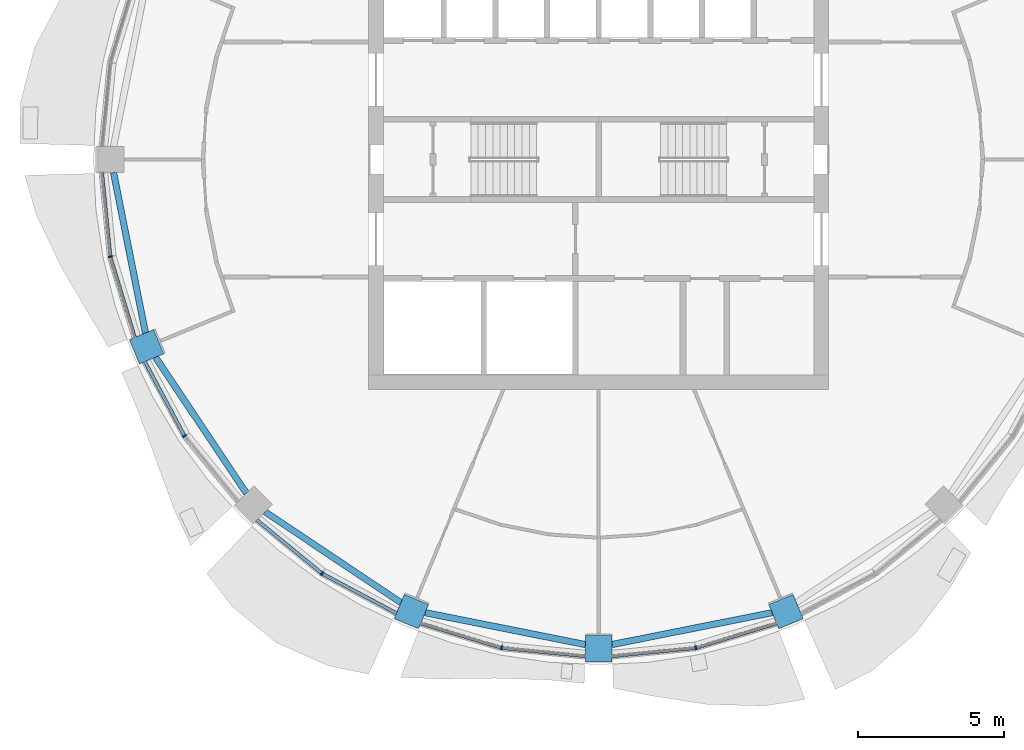
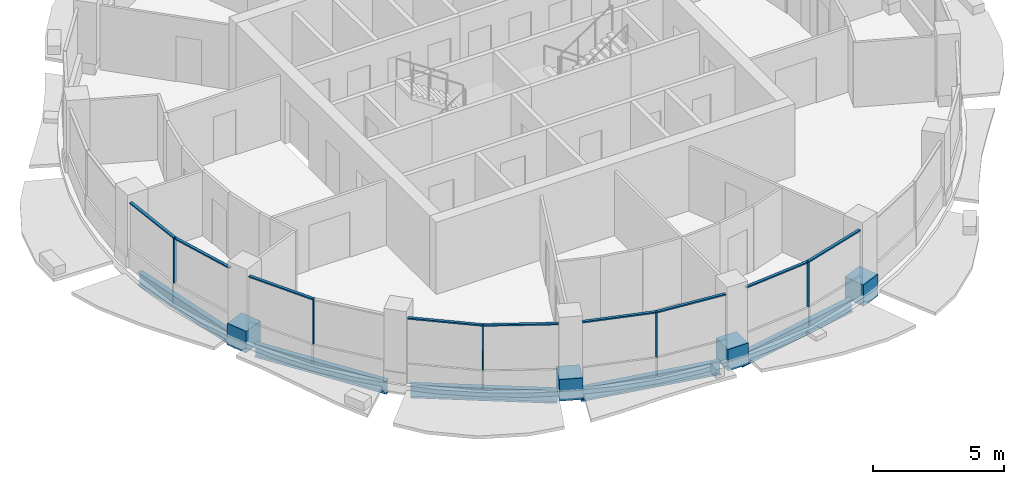
# One storey, part 2 of 15: 18 members, 5 beams, 5 elements without a shape of their own.
"""IFC4 building model written with IfcOpenShell, lengths in metres."""

from ifc_helpers import new_model, si_unit, direction, frame, origin, origin_2d, place, context, subcontext, project, spatial, rectangle, i_section, extrude, material, material_profile, profile_set, type_object, element, aggregate, save


model = new_model("IFC4")

# Units and contexts
model_context = context("Model", 3, precision=1e-05, world=origin(), true_north=direction((0.0, 1.0)))
body_context = subcontext(model_context, "Body", "Model", "MODEL_VIEW")
ifc_project = project(units=[si_unit("LENGTHUNIT", "METRE"), si_unit("AREAUNIT", "SQUARE_METRE"), si_unit("VOLUMEUNIT", "CUBIC_METRE"), si_unit("PLANEANGLEUNIT", "RADIAN"), si_unit("MASSUNIT", "GRAM", prefix="KILO")], contexts=[model_context])

# Site, building, storey
site_placement = place(None, origin())
site = spatial("IfcSite", under=ifc_project, at=site_placement, CompositionType="ELEMENT")
building_placement = place(site_placement, origin())
building = spatial("IfcBuilding", under=site, at=building_placement, Name="Polderwave Tower", CompositionType="ELEMENT")
storey_placement = place(building_placement, frame((0.0, 0.0, 197.699951171875)))
storey = spatial("IfcBuildingStorey", under=building, at=storey_placement, Name="L53", CompositionType="ELEMENT", Elevation=197.699951171875)

# Curtain wall, member
ifc_material_1 = material(Name="Aluminium 6063-T6 and glass", Category="aluminium")
curtain_wall_type = type_object("IfcCurtainWallType", Name="Office ribbon glazing wall", PredefinedType="NOTDEFINED", material=ifc_material_1)
curtain_wall_1_placement = place(storey_placement, origin())
curtain_wall_1 = element("IfcCurtainWall", 1, at=curtain_wall_1_placement, inside=storey, type_object=curtain_wall_type, Name="CW3 L53 08", PredefinedType="NOTDEFINED")
ifc_material_2 = material(Name="Aluminium 6063-T6", Category="aluminium")
ifc_material_profile_1 = material_profile(ifc_material_2, rectangle(XDim=0.139892578125, YDim=0.054931640625, at=origin_2d()), Name="AL 55x140")
ifc_profile_set_1 = profile_set([ifc_material_profile_1], Name="Aluminium 6063-T6")
member_type_1 = type_object("IfcMemberType", Name="Office ribbon glazing mullion 55x140", PredefinedType="MULLION", material=ifc_profile_set_1)
member_1_placement = place(storey_placement, frame((-16.721923828125, -3.325927734375, 0.900146484375), z_axis=(0.0, 0.0, 1.0), x_axis=(0.980762460409, 0.195205010829, 0.0)))
member_1 = element("IfcMember", 2, at=member_1_placement, type_object=member_type_1, Name="CW3 mullion 1", PredefinedType="MULLION", context=body_context, shape_type="SweptSolid", body=[
    extrude(rectangle(XDim=0.139892578125, YDim=0.054931640625, at=origin_2d()), origin(), (0.0, 0.0, 1.0), 2.099853515625),
])

curtain_wall_2_placement = place(storey_placement, origin())
curtain_wall_2 = element("IfcCurtainWall", 3, at=curtain_wall_2_placement, inside=storey, type_object=curtain_wall_type, Name="CW3 L53 09", PredefinedType="NOTDEFINED")
member_2_placement = place(storey_placement, frame((-14.177001953125, -9.471923828125, 0.900146484375), z_axis=(0.0, 0.0, 1.0), x_axis=(0.831480278332, 0.555554269847, 0.0)))
member_2 = element("IfcMember", 4, at=member_2_placement, type_object=member_type_1, Name="CW3 mullion 1", PredefinedType="MULLION", context=body_context, shape_type="SweptSolid", body=[
    extrude(rectangle(XDim=0.139892578125, YDim=0.054931640625, at=origin_2d()), origin(), (0.0, 0.0, 1.0), 2.099853515625),
])

curtain_wall_3_placement = place(storey_placement, origin())
curtain_wall_3 = element("IfcCurtainWall", 5, at=curtain_wall_3_placement, inside=storey, type_object=curtain_wall_type, Name="CW3 L53 10", PredefinedType="NOTDEFINED")
member_3_placement = place(storey_placement, frame((-9.471923828125, -14.177001953125, 0.900146484375), z_axis=(0.0, 0.0, 1.0), x_axis=(0.555554269847, 0.831480278332, 0.0)))
member_3 = element("IfcMember", 6, at=member_3_placement, type_object=member_type_1, Name="CW3 mullion 1", PredefinedType="MULLION", context=body_context, shape_type="SweptSolid", body=[
    extrude(rectangle(XDim=0.139892578125, YDim=0.054931640625, at=origin_2d()), origin(), (0.0, 0.0, 1.0), 2.099853515625),
])

curtain_wall_4_placement = place(storey_placement, origin())
curtain_wall_4 = element("IfcCurtainWall", 7, at=curtain_wall_4_placement, inside=storey, type_object=curtain_wall_type, Name="CW3 L53 11", PredefinedType="NOTDEFINED")
member_4_placement = place(storey_placement, frame((-3.325927734375, -16.721923828125, 0.900146484375), z_axis=(0.0, 0.0, 1.0), x_axis=(0.195205010829, 0.980762460409, 0.0)))
member_4 = element("IfcMember", 8, at=member_4_placement, type_object=member_type_1, Name="CW3 mullion 1", PredefinedType="MULLION", context=body_context, shape_type="SweptSolid", body=[
    extrude(rectangle(XDim=0.139892578125, YDim=0.054931640625, at=origin_2d()), origin(), (0.0, 0.0, 1.0), 2.099853515625),
])

curtain_wall_5_placement = place(storey_placement, origin())
curtain_wall_5 = element("IfcCurtainWall", 9, at=curtain_wall_5_placement, inside=storey, type_object=curtain_wall_type, Name="CW3 L53 12", PredefinedType="NOTDEFINED")
member_5_placement = place(storey_placement, frame((3.325927734375, -16.721923828125, 0.900146484375), z_axis=(0.0, 0.0, 1.0), x_axis=(-0.195205010829, 0.980762460409, 0.0)))
member_5 = element("IfcMember", 10, at=member_5_placement, type_object=member_type_1, Name="CW3 mullion 1", PredefinedType="MULLION", context=body_context, shape_type="SweptSolid", body=[
    extrude(rectangle(XDim=0.139892578125, YDim=0.054931640625, at=origin_2d()), origin(), (0.0, 0.0, 1.0), 2.099853515625),
])

# Member
ifc_material_profile_2 = material_profile(ifc_material_2, rectangle(XDim=0.1201171875, YDim=0.06005859375, at=origin_2d()), Name="AL 60x120")
ifc_profile_set_2 = profile_set([ifc_material_profile_2], Name="Aluminium 6063-T6")
member_type_2 = type_object("IfcMemberType", Name="Office ribbon glazing transom 60x120", PredefinedType="USERDEFINED", material=ifc_profile_set_2)
member_6_placement = place(storey_placement, frame((-17.006103515625, -0.449951171875, 2.969970703125), z_axis=(0.098338314772, -0.99515304142, 0.0), x_axis=(0.99515304142, 0.098338314772, 0.0)))
member_6 = element("IfcMember", 11, at=member_6_placement, type_object=member_type_2, Name="CW3 transom 1", ObjectType="TRANSOM", PredefinedType="USERDEFINED", context=body_context, shape_type="SweptSolid", body=[
    extrude(rectangle(XDim=0.1201171875, YDim=0.06005859375, at=origin_2d()), origin(), (0.0, 0.0, 1.0), 2.862548828125),
])

member_7_placement = place(storey_placement, frame((-16.714111328125, -3.352294921875, 2.969970703125), z_axis=(0.290272457704, -0.956944042407, 0.0), x_axis=(0.956944042407, 0.290272457704, 0.0)))
member_7 = element("IfcMember", 12, at=member_7_placement, type_object=member_type_2, Name="CW3 transom 2", ObjectType="TRANSOM", PredefinedType="USERDEFINED", context=body_context, shape_type="SweptSolid", body=[
    extrude(rectangle(XDim=0.1201171875, YDim=0.06005859375, at=origin_2d()), origin(), (0.0, 0.0, 1.0), 2.863037109375),
])

aggregate(curtain_wall_1, [member_1, member_6, member_7])

member_8_placement = place(storey_placement, frame((-15.5390625, -6.924072265625, 2.969970703125), z_axis=(0.471447059803, -0.881894364311, 0.0), x_axis=(0.881894364311, 0.471447059803, 0.0)))
member_8 = element("IfcMember", 13, at=member_8_placement, type_object=member_type_2, Name="CW3 transom 1", ObjectType="TRANSOM", PredefinedType="USERDEFINED", context=body_context, shape_type="SweptSolid", body=[
    extrude(rectangle(XDim=0.1201171875, YDim=0.06005859375, at=origin_2d()), origin(), (0.0, 0.0, 1.0), 2.861572265625),
])

aggregate(curtain_wall_2, [member_2, member_8])

member_9_placement = place(storey_placement, frame((-11.70703125, -12.343017578125, 2.969970703125), z_axis=(0.773014408313, -0.634388465012, 0.0), x_axis=(0.634388465012, 0.773014408313, 0.0)))
member_9 = element("IfcMember", 14, at=member_9_placement, type_object=member_type_2, Name="CW3 transom 1", ObjectType="TRANSOM", PredefinedType="USERDEFINED", context=body_context, shape_type="SweptSolid", body=[
    extrude(rectangle(XDim=0.1201171875, YDim=0.06005859375, at=origin_2d()), origin(), (0.0, 0.0, 1.0), 2.863525390625),
])

member_10_placement = place(storey_placement, frame((-9.44775390625, -14.18994140625, 2.969970703125), z_axis=(0.881894364311, -0.471447059803, 0.0), x_axis=(0.471447059803, 0.881894364311, 0.0)))
member_10 = element("IfcMember", 15, at=member_10_placement, type_object=member_type_2, Name="CW3 transom 2", ObjectType="TRANSOM", PredefinedType="USERDEFINED", context=body_context, shape_type="SweptSolid", body=[
    extrude(rectangle(XDim=0.1201171875, YDim=0.06005859375, at=origin_2d()), origin(), (0.0, 0.0, 1.0), 2.861572265625),
])

aggregate(curtain_wall_3, [member_3, member_9, member_10])

member_11_placement = place(storey_placement, frame((-6.092041015625, -15.883056640625, 2.969970703125), z_axis=(0.956944042407, -0.290272457704, 0.0), x_axis=(0.290272457704, 0.956944042407, 0.0)))
member_11 = element("IfcMember", 16, at=member_11_placement, type_object=member_type_2, Name="CW3 transom 1", ObjectType="TRANSOM", PredefinedType="USERDEFINED", context=body_context, shape_type="SweptSolid", body=[
    extrude(rectangle(XDim=0.1201171875, YDim=0.06005859375, at=origin_2d()), origin(), (0.0, 0.0, 1.0), 2.863037109375),
])

member_12_placement = place(storey_placement, frame((-3.298583984375, -16.724609375, 2.969970703125), z_axis=(0.99515304142, -0.098338314772, 0.0), x_axis=(0.098338314772, 0.99515304142, 0.0)))
member_12 = element("IfcMember", 17, at=member_12_placement, type_object=member_type_2, Name="CW3 transom 2", ObjectType="TRANSOM", PredefinedType="USERDEFINED", context=body_context, shape_type="SweptSolid", body=[
    extrude(rectangle(XDim=0.1201171875, YDim=0.06005859375, at=origin_2d()), origin(), (0.0, 0.0, 1.0), 2.862548828125),
])

aggregate(curtain_wall_4, [member_4, member_11, member_12])

member_13_placement = place(storey_placement, frame((0.449951171875, -17.006103515625, 2.969970703125), z_axis=(0.99515304142, 0.098338314772, 0.0), x_axis=(-0.098338314772, 0.99515304142, 0.0)))
member_13 = element("IfcMember", 18, at=member_13_placement, type_object=member_type_2, Name="CW3 transom 1", ObjectType="TRANSOM", PredefinedType="USERDEFINED", context=body_context, shape_type="SweptSolid", body=[
    extrude(rectangle(XDim=0.1201171875, YDim=0.06005859375, at=origin_2d()), origin(), (0.0, 0.0, 1.0), 2.862548828125),
])

member_14_placement = place(storey_placement, frame((3.352294921875, -16.714111328125, 2.969970703125), z_axis=(0.956944042407, 0.290272457704, 0.0), x_axis=(-0.290272457704, 0.956944042407, 0.0)))
member_14 = element("IfcMember", 19, at=member_14_placement, type_object=member_type_2, Name="CW3 transom 2", ObjectType="TRANSOM", PredefinedType="USERDEFINED", context=body_context, shape_type="SweptSolid", body=[
    extrude(rectangle(XDim=0.1201171875, YDim=0.06005859375, at=origin_2d()), origin(), (0.0, 0.0, 1.0), 2.863037109375),
])

aggregate(curtain_wall_5, [member_5, member_13, member_14])

# Members
ifc_material_3 = material(Name="Concrete C60/75", Category="concrete")
ifc_material_profile_3 = material_profile(ifc_material_3, rectangle(XDim=0.89990234375, YDim=0.89990234375, at=origin_2d()), Name="RC 900x900")
ifc_profile_set_3 = profile_set([ifc_material_profile_3], Name="Concrete C60/75")
member_type_3 = type_object("IfcMemberType", Name="RC NODE 900x900 C60/75", PredefinedType="POST", material=ifc_profile_set_3)
for number, where, z_axis, x_axis, name in (
    (20, (-15.48046875, -6.412109375, -0.5), (0.0, 0.0, 1.0), (-0.923879532511, -0.382683432365, 0.0), "Ring column node 10"),
    (21, (-6.412109375, -15.48046875, -0.5), (0.0, 0.0, 1.0), (-0.382683432365, -0.923879532511, 0.0), "Ring column node 12"),
    (22, (0.0, -16.755859375, -0.5), (0.0, 0.0, 1.0), (0.0, -1.0, 0.0), "Ring column node 13"),
    (23, (6.412109375, -15.48046875, -0.5), (0.0, 0.0, 1.0), (0.382683432365, -0.923879532511, 0.0), "Ring column node 14"),
):
    element("IfcMember", number, at=place(storey_placement, frame(where, z_axis=z_axis, x_axis=x_axis)), inside=storey, type_object=member_type_3, Name=name, PredefinedType="POST", context=body_context, shape_type="SweptSolid", body=[
        extrude(rectangle(XDim=0.89990234375, YDim=0.89990234375, at=origin_2d()), origin(), (0.0, 0.0, 1.0), 1.0),
    ])

# Beams
ifc_material_4 = material(Name="Steel S355", Category="steel")
ifc_material_profile_4 = material_profile(ifc_material_4, i_section(OverallWidth=0.219970703125, OverallDepth=0.60009765625, WebThickness=0.011962890625, FlangeThickness=0.01904296875, at=origin_2d()), Name="IPE 600")
ifc_profile_set_4 = profile_set([ifc_material_profile_4], Name="Steel S355")
beam_type = type_object("IfcBeamType", Name="RING BEAM IPE 600", PredefinedType="BEAM", material=ifc_profile_set_4)
for number, where, z_axis, x_axis, name in (
    (24, (-16.610595703125, -0.449951171875, -0.64990234375), (0.195101310105, -0.980783094673, 0.0), (0.980783094673, 0.195101310105, 0.0), "ST-RB-L53-08"),
    (25, (-15.173828125, -6.772216796875, -0.64990234375), (0.555565346345, -0.831472877453, 0.0), (0.831472877453, 0.555565346345, 0.0), "ST-RB-L53-09"),
    (26, (-11.42724609375, -12.0634765625, -0.64990234375), (0.831472877453, -0.555565346345, 0.0), (0.555565346345, 0.831472877453, 0.0), "ST-RB-L53-10"),
    (27, (-5.94091796875, -15.518310546875, -0.64990234375), (0.980783094673, -0.195101310105, 0.0), (0.195101310105, 0.980783094673, 0.0), "ST-RB-L53-11"),
    (28, (0.449951171875, -16.610595703125, -0.64990234375), (0.980783094673, 0.195101310105, 0.0), (-0.195101310105, 0.980783094673, 0.0), "ST-RB-L53-12"),
):
    element("IfcBeam", number, at=place(storey_placement, frame(where, z_axis=z_axis, x_axis=x_axis)), inside=storey, type_object=beam_type, Name=name, PredefinedType="BEAM", context=body_context, shape_type="SweptSolid", body=[
        extrude(i_section(OverallWidth=0.219970703125, OverallDepth=0.60009765625, WebThickness=0.011962890625, FlangeThickness=0.01904296875, at=origin_2d()), origin(), (0.0, 0.0, 1.0), 5.5986328125),
    ])

save(model, "model.ifc")
